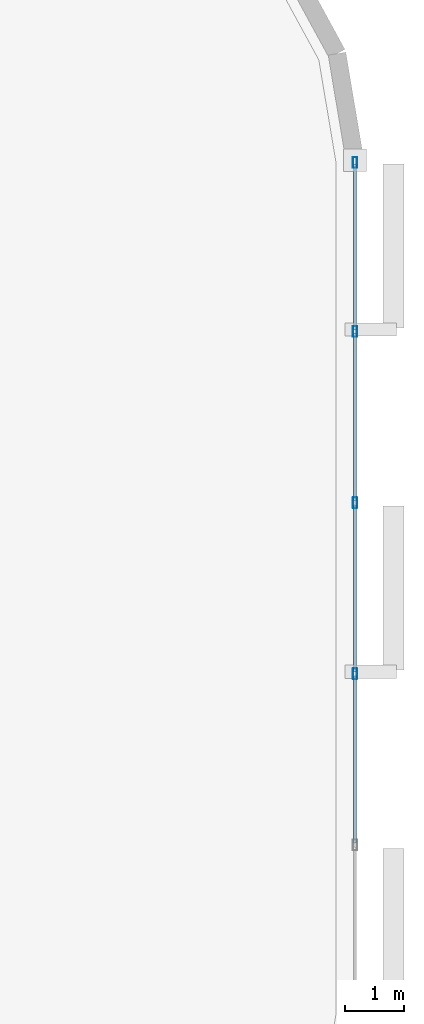
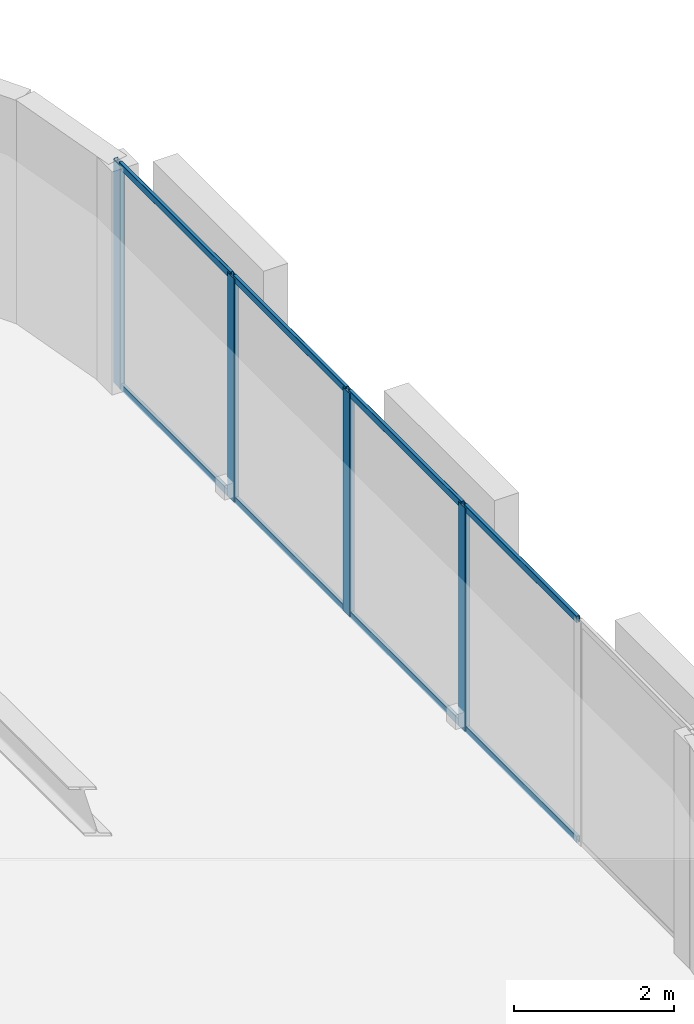
# One storey, part 6 of 14: 12 members, 1 element without a shape of its own.
"""IFC4 building model written with IfcOpenShell, lengths in metres."""

from ifc_helpers import new_model, si_unit, direction, frame, origin, origin_2d, place, context, subcontext, project, spatial, hollow_rectangle, extrude, material, layer, layer_set, material_profile, profile_set, type_object, element, aggregate, save


model = new_model("IFC4")

# Units and contexts
model_context = context("Model", 3, precision=1e-05, world=origin(), true_north=direction((0.0, 1.0)))
body_context = subcontext(model_context, "Body", "Model", "MODEL_VIEW")
ifc_project = project(units=[si_unit("LENGTHUNIT", "METRE"), si_unit("AREAUNIT", "SQUARE_METRE"), si_unit("VOLUMEUNIT", "CUBIC_METRE"), si_unit("PLANEANGLEUNIT", "RADIAN"), si_unit("MASSUNIT", "GRAM", prefix="KILO")], contexts=[model_context])

# Site, building, storey
site_placement = place(None, origin())
site = spatial("IfcSite", under=ifc_project, at=site_placement, CompositionType="ELEMENT")
building_placement = place(site_placement, origin())
building = spatial("IfcBuilding", under=site, at=building_placement, Name="An Khanh Terracotta Commons", CompositionType="ELEMENT")
storey_placement = place(building_placement, frame((0.0, 0.0, 158.199951171875)))
storey = spatial("IfcBuildingStorey", under=building, at=storey_placement, Name="L41", CompositionType="ELEMENT", Elevation=158.199951171875)

# Curtain wall, members
ifc_material = material(Name="Anodised Aluminium 6063-T6", Category="aluminium")
ifc_layer = layer(ifc_material, 0.2099609375, Name="Anodised Aluminium 6063-T6")
ifc_layer_set = layer_set([ifc_layer], Name="Anodised Aluminium 6063-T6")
curtain_wall_type = type_object("IfcCurtainWallType", Name="CW-SYS-03", PredefinedType="USERDEFINED", material=ifc_layer_set)
curtain_wall_placement = place(storey_placement, origin())
curtain_wall = element("IfcCurtainWall", 1, at=curtain_wall_placement, inside=storey, type_object=curtain_wall_type, Name="L41 CW-03 Unitised Curtain Wall CW-L41-12", ObjectType="UNITISED CURTAIN WALL", PredefinedType="USERDEFINED")
ifc_material_profile_1 = material_profile(ifc_material, hollow_rectangle(XDim=0.070068359375, YDim=0.179931640625, WallThickness=0.00390625, InnerFilletRadius=0.00390625, OuterFilletRadius=0.008056640625, at=origin_2d()), Name="RHS180x70x4")
ifc_profile_set_1 = profile_set([ifc_material_profile_1], Name="Anodised Aluminium 6063-T6")
member_type_1 = type_object("IfcMemberType", Name="CWM-RHS180x70x4", PredefinedType="MULLION", material=ifc_profile_set_1)
member_1_placement = place(storey_placement, frame((63.0, 22.56005859375, 0.0), z_axis=(0.0, 0.0, 1.0), x_axis=(-1.0, 0.0, 0.0)))
member_1 = element("IfcMember", 2, at=member_1_placement, type_object=member_type_1, Name="CW-03 mullion 3", PredefinedType="MULLION", context=body_context, shape_type="SweptSolid", body=[
    extrude(hollow_rectangle(XDim=0.070068359375, YDim=0.179931640625, WallThickness=0.00390625, InnerFilletRadius=0.00390625, OuterFilletRadius=0.008056640625, at=origin_2d()), origin(), (0.0, 0.0, 1.0), 3.400146484375),
])
member_2_placement = place(storey_placement, frame((63.0, 25.43994140625, 0.0), z_axis=(0.0, 0.0, 1.0), x_axis=(-1.0, 0.0, 0.0)))
member_2 = element("IfcMember", 3, at=member_2_placement, type_object=member_type_1, Name="CW-03 mullion 4", PredefinedType="MULLION", context=body_context, shape_type="SweptSolid", body=[
    extrude(hollow_rectangle(XDim=0.070068359375, YDim=0.179931640625, WallThickness=0.00390625, InnerFilletRadius=0.00390625, OuterFilletRadius=0.008056640625, at=origin_2d()), origin(), (0.0, 0.0, 1.0), 3.400146484375),
])
member_3_placement = place(storey_placement, frame((63.0, 28.320068359375, 0.0), z_axis=(0.0, 0.0, 1.0), x_axis=(-1.0, 0.0, 0.0)))
member_3 = element("IfcMember", 4, at=member_3_placement, type_object=member_type_1, Name="CW-03 mullion 5", PredefinedType="MULLION", context=body_context, shape_type="SweptSolid", body=[
    extrude(hollow_rectangle(XDim=0.070068359375, YDim=0.179931640625, WallThickness=0.00390625, InnerFilletRadius=0.00390625, OuterFilletRadius=0.008056640625, at=origin_2d()), origin(), (0.0, 0.0, 1.0), 3.400146484375),
])
member_4_placement = place(storey_placement, frame((63.0, 31.1650390625, 0.0), z_axis=(0.0, 0.0, 1.0), x_axis=(-1.0, 0.0, 0.0)))
member_4 = element("IfcMember", 5, at=member_4_placement, type_object=member_type_1, Name="CW-03 mullion 6", PredefinedType="MULLION", context=body_context, shape_type="SweptSolid", body=[
    extrude(hollow_rectangle(XDim=0.070068359375, YDim=0.179931640625, WallThickness=0.00390625, InnerFilletRadius=0.00390625, OuterFilletRadius=0.008056640625, at=origin_2d()), origin(), (0.0, 0.0, 1.0), 3.400146484375),
])
ifc_material_profile_2 = material_profile(ifc_material, hollow_rectangle(XDim=0.050048828125, YDim=0.10009765625, WallThickness=0.003173828125, InnerFilletRadius=0.003173828125, OuterFilletRadius=0.00634765625, at=origin_2d()), Name="RHS100x50x3.2")
ifc_profile_set_2 = profile_set([ifc_material_profile_2], Name="Anodised Aluminium 6063-T6")
member_type_2 = type_object("IfcMemberType", Name="CWT-RHS100x50x3.2", PredefinedType="USERDEFINED", material=ifc_profile_set_2)
member_5_placement = place(storey_placement, frame((63.0, 19.715087890625, 0.025146484375), z_axis=(0.0, 1.0, 0.0), x_axis=(-1.0, 0.0, 0.0)))
member_5 = element("IfcMember", 6, at=member_5_placement, type_object=member_type_2, Name="CW-03 transom 2.1", ObjectType="TRANSOM", PredefinedType="USERDEFINED", context=body_context, shape_type="SweptSolid", body=[
    extrude(hollow_rectangle(XDim=0.050048828125, YDim=0.10009765625, WallThickness=0.003173828125, InnerFilletRadius=0.003173828125, OuterFilletRadius=0.00634765625, at=origin_2d()), origin(), (0.0, 0.0, 1.0), 2.809814453125),
])
member_6_placement = place(storey_placement, frame((63.0, 19.715087890625, 3.375), z_axis=(0.0, 1.0, 0.0), x_axis=(-1.0, 0.0, 0.0)))
member_6 = element("IfcMember", 7, at=member_6_placement, type_object=member_type_2, Name="CW-03 transom 2.2", ObjectType="TRANSOM", PredefinedType="USERDEFINED", context=body_context, shape_type="SweptSolid", body=[
    extrude(hollow_rectangle(XDim=0.050048828125, YDim=0.10009765625, WallThickness=0.003173828125, InnerFilletRadius=0.003173828125, OuterFilletRadius=0.00634765625, at=origin_2d()), origin(), (0.0, 0.0, 1.0), 2.809814453125),
])
member_7_placement = place(storey_placement, frame((63.0, 22.594970703125, 0.025146484375), z_axis=(0.0, 1.0, 0.0), x_axis=(-1.0, 0.0, 0.0)))
member_7 = element("IfcMember", 8, at=member_7_placement, type_object=member_type_2, Name="CW-03 transom 3.1", ObjectType="TRANSOM", PredefinedType="USERDEFINED", context=body_context, shape_type="SweptSolid", body=[
    extrude(hollow_rectangle(XDim=0.050048828125, YDim=0.10009765625, WallThickness=0.003173828125, InnerFilletRadius=0.003173828125, OuterFilletRadius=0.00634765625, at=origin_2d()), origin(), (0.0, 0.0, 1.0), 2.81005859375),
])
member_8_placement = place(storey_placement, frame((63.0, 22.594970703125, 3.375), z_axis=(0.0, 1.0, 0.0), x_axis=(-1.0, 0.0, 0.0)))
member_8 = element("IfcMember", 9, at=member_8_placement, type_object=member_type_2, Name="CW-03 transom 3.2", ObjectType="TRANSOM", PredefinedType="USERDEFINED", context=body_context, shape_type="SweptSolid", body=[
    extrude(hollow_rectangle(XDim=0.050048828125, YDim=0.10009765625, WallThickness=0.003173828125, InnerFilletRadius=0.003173828125, OuterFilletRadius=0.00634765625, at=origin_2d()), origin(), (0.0, 0.0, 1.0), 2.81005859375),
])
member_9_placement = place(storey_placement, frame((63.0, 25.47509765625, 0.025146484375), z_axis=(0.0, 1.0, 0.0), x_axis=(-1.0, 0.0, 0.0)))
member_9 = element("IfcMember", 10, at=member_9_placement, type_object=member_type_2, Name="CW-03 transom 4.1", ObjectType="TRANSOM", PredefinedType="USERDEFINED", context=body_context, shape_type="SweptSolid", body=[
    extrude(hollow_rectangle(XDim=0.050048828125, YDim=0.10009765625, WallThickness=0.003173828125, InnerFilletRadius=0.003173828125, OuterFilletRadius=0.00634765625, at=origin_2d()), origin(), (0.0, 0.0, 1.0), 2.809814453125),
])
member_10_placement = place(storey_placement, frame((63.0, 25.47509765625, 3.375), z_axis=(0.0, 1.0, 0.0), x_axis=(-1.0, 0.0, 0.0)))
member_10 = element("IfcMember", 11, at=member_10_placement, type_object=member_type_2, Name="CW-03 transom 4.2", ObjectType="TRANSOM", PredefinedType="USERDEFINED", context=body_context, shape_type="SweptSolid", body=[
    extrude(hollow_rectangle(XDim=0.050048828125, YDim=0.10009765625, WallThickness=0.003173828125, InnerFilletRadius=0.003173828125, OuterFilletRadius=0.00634765625, at=origin_2d()), origin(), (0.0, 0.0, 1.0), 2.809814453125),
])
member_11_placement = place(storey_placement, frame((63.0, 28.35498046875, 0.025146484375), z_axis=(0.0, 1.0, 0.0), x_axis=(-1.0, 0.0, 0.0)))
member_11 = element("IfcMember", 12, at=member_11_placement, type_object=member_type_2, Name="CW-03 transom 5.1", ObjectType="TRANSOM", PredefinedType="USERDEFINED", context=body_context, shape_type="SweptSolid", body=[
    extrude(hollow_rectangle(XDim=0.050048828125, YDim=0.10009765625, WallThickness=0.003173828125, InnerFilletRadius=0.003173828125, OuterFilletRadius=0.00634765625, at=origin_2d()), origin(), (0.0, 0.0, 1.0), 2.77490234375),
])
member_12_placement = place(storey_placement, frame((63.0, 28.35498046875, 3.375), z_axis=(0.0, 1.0, 0.0), x_axis=(-1.0, 0.0, 0.0)))
member_12 = element("IfcMember", 13, at=member_12_placement, type_object=member_type_2, Name="CW-03 transom 5.2", ObjectType="TRANSOM", PredefinedType="USERDEFINED", context=body_context, shape_type="SweptSolid", body=[
    extrude(hollow_rectangle(XDim=0.050048828125, YDim=0.10009765625, WallThickness=0.003173828125, InnerFilletRadius=0.003173828125, OuterFilletRadius=0.00634765625, at=origin_2d()), origin(), (0.0, 0.0, 1.0), 2.77490234375),
])
aggregate(curtain_wall, [member_1, member_2, member_3, member_4, member_5, member_6, member_7, member_8, member_9, member_10, member_11, member_12])

save(model, "model.ifc")
